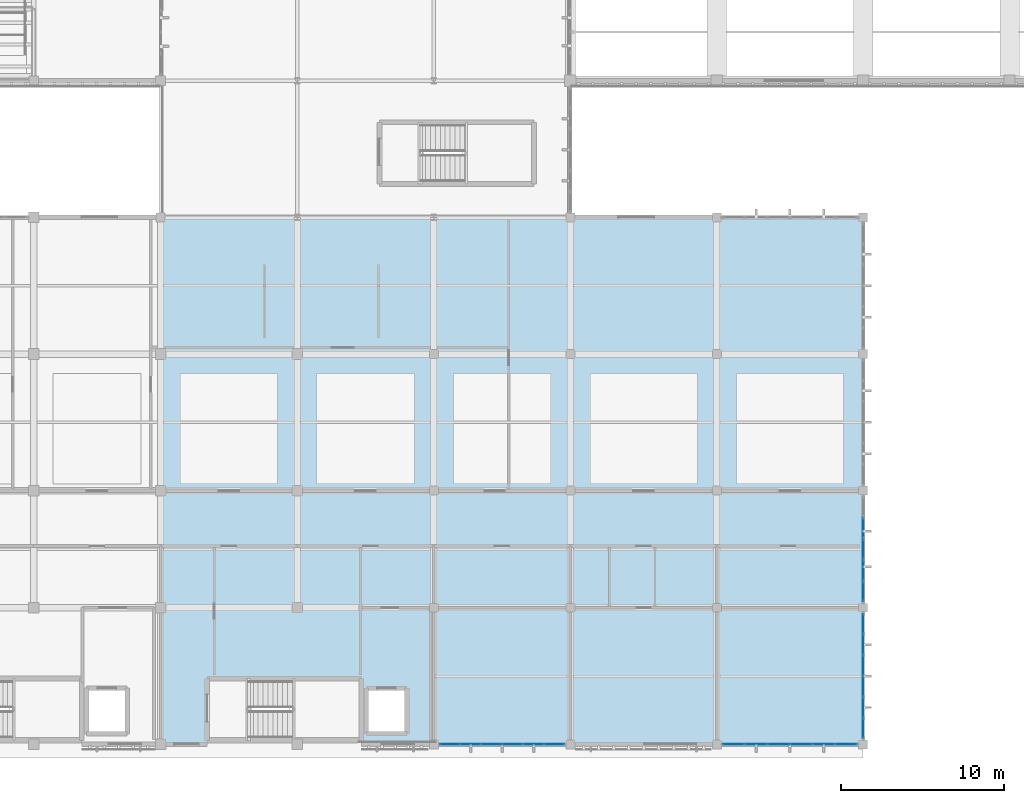
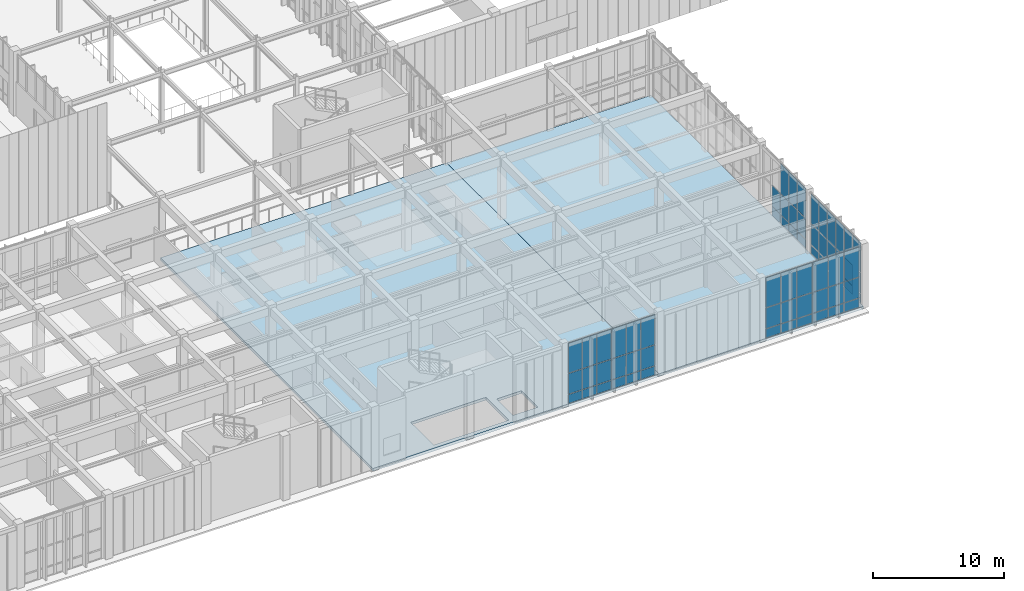
# One storey, part 57 of 105: 65 plates, 2 slabs, 4 elements without a shape of their own.
"""IFC4 building model written with IfcOpenShell, lengths in metres."""

from ifc_helpers import new_model, si_unit, direction, frame, origin, origin_2d, place, context, subcontext, project, spatial, polyline, rectangle, outline, extrude, material, layer, layer_set, type_object, element, aggregate, save


model = new_model("IFC4")

# Units and contexts
model_context = context("Model", 3, precision=1e-05, world=origin(), true_north=direction((0.0, 1.0)))
body_context = subcontext(model_context, "Body", "Model", "MODEL_VIEW")
ifc_project = project(units=[si_unit("LENGTHUNIT", "METRE"), si_unit("AREAUNIT", "SQUARE_METRE"), si_unit("VOLUMEUNIT", "CUBIC_METRE"), si_unit("PLANEANGLEUNIT", "RADIAN"), si_unit("MASSUNIT", "GRAM", prefix="KILO")], contexts=[model_context])

# Site, building, storey
site_placement = place(None, origin())
site = spatial("IfcSite", under=ifc_project, at=site_placement, CompositionType="ELEMENT")
building_placement = place(site_placement, origin())
building = spatial("IfcBuilding", under=site, at=building_placement, Name="Tizgana Railside Sports Hall", CompositionType="ELEMENT")
storey_placement = place(building_placement, frame((0.0, 0.0, 6.0)))
storey = spatial("IfcBuildingStorey", under=building, at=storey_placement, Name="L01", CompositionType="ELEMENT", Elevation=6.0)

# Curtain wall, plates
ifc_material_1 = material(Name="Anodised aluminium and glass", Category="aluminium")
curtain_wall_type_1 = type_object("IfcCurtainWallType", Name="Unitised Curtain Wall Passage 1800", PredefinedType="NOTDEFINED", material=ifc_material_1)
curtain_wall_1_placement = place(storey_placement, origin())
curtain_wall_1 = element("IfcCurtainWall", 1, at=curtain_wall_1_placement, inside=storey, type_object=curtain_wall_type_1, Name="L01 Curtain Wall CW-0101", PredefinedType="NOTDEFINED")
ifc_material_2 = material(Name="Double low-E laminated glass", Category="glass")
ifc_layer_1 = layer(ifc_material_2, 0.033935546875, Name="Double low-E laminated glass")
ifc_layer_set_1 = layer_set([ifc_layer_1], Name="Double low-E laminated glass")
plate_type_1 = type_object("IfcPlateType", Name="Acoustic Laminated Glazing Panel 34", PredefinedType="CURTAIN_PANEL", material=ifc_layer_set_1)
plate_1_placement = place(storey_placement, frame((97.800048828125, 13.30810546875, 0.05517578125), z_axis=(0.0, 0.0, 1.0), x_axis=(0.0, -1.0, 0.0)))
plate_1 = element("IfcPlate", 2, at=plate_1_placement, type_object=plate_type_1, Name="CW-06 panel 2.1", PredefinedType="CURTAIN_PANEL", context=body_context, shape_type="SweptSolid", body=[
    extrude(rectangle(XDim=1.23291015625, YDim=0.033935546875, at=origin_2d()), origin(), (0.0, 0.0, 1.0), 0.8173828125),
])
plate_2_placement = place(storey_placement, frame((97.800048828125, 13.30810546875, 0.92724609375), z_axis=(0.0, 0.0, 1.0), x_axis=(0.0, -1.0, 0.0)))
plate_2 = element("IfcPlate", 3, at=plate_2_placement, type_object=plate_type_1, Name="CW-06 panel 2.2", PredefinedType="CURTAIN_PANEL", context=body_context, shape_type="SweptSolid", body=[
    extrude(rectangle(XDim=1.23291015625, YDim=0.033935546875, at=origin_2d()), origin(), (0.0, 0.0, 1.0), 1.905029296875),
])
plate_3_placement = place(storey_placement, frame((97.800048828125, 12.0, 0.05517578125), z_axis=(0.0, 0.0, 1.0), x_axis=(0.0, -1.0, 0.0)))
plate_3 = element("IfcPlate", 4, at=plate_3_placement, type_object=plate_type_1, Name="CW-06 panel 3.1", PredefinedType="CURTAIN_PANEL", context=body_context, shape_type="SweptSolid", body=[
    extrude(rectangle(XDim=1.23291015625, YDim=0.033935546875, at=origin_2d()), origin(), (0.0, 0.0, 1.0), 0.8173828125),
])
plate_4_placement = place(storey_placement, frame((97.800048828125, 12.0, 0.92724609375), z_axis=(0.0, 0.0, 1.0), x_axis=(0.0, -1.0, 0.0)))
plate_4 = element("IfcPlate", 5, at=plate_4_placement, type_object=plate_type_1, Name="CW-06 panel 3.2", PredefinedType="CURTAIN_PANEL", context=body_context, shape_type="SweptSolid", body=[
    extrude(rectangle(XDim=1.23291015625, YDim=0.033935546875, at=origin_2d()), origin(), (0.0, 0.0, 1.0), 1.905029296875),
])
plate_5_placement = place(storey_placement, frame((97.800048828125, 12.0, 2.8876953125), z_axis=(0.0, 0.0, 1.0), x_axis=(0.0, -1.0, 0.0)))
plate_5 = element("IfcPlate", 6, at=plate_5_placement, type_object=plate_type_1, Name="CW-06 panel 3.3", PredefinedType="CURTAIN_PANEL", context=body_context, shape_type="SweptSolid", body=[
    extrude(rectangle(XDim=1.23291015625, YDim=0.033935546875, at=origin_2d()), origin(), (0.0, 0.0, 1.0), 2.777587890625),
])
plate_6_placement = place(storey_placement, frame((97.800048828125, 10.69189453125, 0.05517578125), z_axis=(0.0, 0.0, 1.0), x_axis=(0.0, -1.0, 0.0)))
plate_6 = element("IfcPlate", 7, at=plate_6_placement, type_object=plate_type_1, Name="CW-06 panel 4.1", PredefinedType="CURTAIN_PANEL", context=body_context, shape_type="SweptSolid", body=[
    extrude(rectangle(XDim=1.23291015625, YDim=0.033935546875, at=origin_2d()), origin(), (0.0, 0.0, 1.0), 0.8173828125),
])
plate_7_placement = place(storey_placement, frame((97.800048828125, 10.69189453125, 0.92724609375), z_axis=(0.0, 0.0, 1.0), x_axis=(0.0, -1.0, 0.0)))
plate_7 = element("IfcPlate", 8, at=plate_7_placement, type_object=plate_type_1, Name="CW-06 panel 4.2", PredefinedType="CURTAIN_PANEL", context=body_context, shape_type="SweptSolid", body=[
    extrude(rectangle(XDim=1.23291015625, YDim=0.033935546875, at=origin_2d()), origin(), (0.0, 0.0, 1.0), 1.905029296875),
])
plate_8_placement = place(storey_placement, frame((97.800048828125, 10.69189453125, 2.8876953125), z_axis=(0.0, 0.0, 1.0), x_axis=(0.0, -1.0, 0.0)))
plate_8 = element("IfcPlate", 9, at=plate_8_placement, type_object=plate_type_1, Name="CW-06 panel 4.3", PredefinedType="CURTAIN_PANEL", context=body_context, shape_type="SweptSolid", body=[
    extrude(rectangle(XDim=1.23291015625, YDim=0.033935546875, at=origin_2d()), origin(), (0.0, 0.0, 1.0), 2.777587890625),
])
plate_9_placement = place(storey_placement, frame((97.800048828125, 9.40283203125, 0.05517578125), z_axis=(0.0, 0.0, 1.0), x_axis=(0.0, -1.0, 0.0)))
plate_9 = element("IfcPlate", 10, at=plate_9_placement, type_object=plate_type_1, Name="CW-06 panel 5.1", PredefinedType="CURTAIN_PANEL", context=body_context, shape_type="SweptSolid", body=[
    extrude(rectangle(XDim=1.195556640625, YDim=0.033935546875, at=origin_2d()), origin(), (0.0, 0.0, 1.0), 0.8173828125),
])
plate_10_placement = place(storey_placement, frame((97.800048828125, 9.40283203125, 0.92724609375), z_axis=(0.0, 0.0, 1.0), x_axis=(0.0, -1.0, 0.0)))
plate_10 = element("IfcPlate", 11, at=plate_10_placement, type_object=plate_type_1, Name="CW-06 panel 5.2", PredefinedType="CURTAIN_PANEL", context=body_context, shape_type="SweptSolid", body=[
    extrude(rectangle(XDim=1.195556640625, YDim=0.033935546875, at=origin_2d()), origin(), (0.0, 0.0, 1.0), 1.905029296875),
])
plate_11_placement = place(storey_placement, frame((97.800048828125, 9.40283203125, 2.8876953125), z_axis=(0.0, 0.0, 1.0), x_axis=(0.0, -1.0, 0.0)))
plate_11 = element("IfcPlate", 12, at=plate_11_placement, type_object=plate_type_1, Name="CW-06 panel 5.3", PredefinedType="CURTAIN_PANEL", context=body_context, shape_type="SweptSolid", body=[
    extrude(rectangle(XDim=1.195556640625, YDim=0.033935546875, at=origin_2d()), origin(), (0.0, 0.0, 1.0), 2.777587890625),
])
aggregate(curtain_wall_1, [plate_1, plate_2, plate_3, plate_4, plate_5, plate_6, plate_7, plate_8, plate_9, plate_10, plate_11])

curtain_wall_type_2 = type_object("IfcCurtainWallType", Name="Unitised Curtain Wall Studio 1400", PredefinedType="NOTDEFINED", material=ifc_material_1)
curtain_wall_2_placement = place(storey_placement, origin())
curtain_wall_2 = element("IfcCurtainWall", 13, at=curtain_wall_2_placement, inside=storey, type_object=curtain_wall_type_2, Name="L01 Curtain Wall CW-0090", PredefinedType="NOTDEFINED")
ifc_layer_2 = layer(ifc_material_2, 0.0400390625, Name="Double low-E laminated glass")
ifc_layer_set_2 = layer_set([ifc_layer_2], Name="Double low-E laminated glass")
plate_type_2 = type_object("IfcPlateType", Name="High-Span Tempered Glazing Panel 40", PredefinedType="CURTAIN_PANEL", material=ifc_layer_set_2)
plate_12_placement = place(storey_placement, frame((78.81005859375, 0.0, 0.06005859375), z_axis=(0.0, 0.0, 1.0), x_axis=(-1.0, 0.0, 0.0)))
plate_12 = element("IfcPlate", 14, at=plate_12_placement, type_object=plate_type_2, Name="CW-03 panel 1.1", PredefinedType="CURTAIN_PANEL", context=body_context, shape_type="SweptSolid", body=[
    extrude(rectangle(XDim=1.199951171875, YDim=0.0400390625, at=origin_2d()), origin(), (0.0, 0.0, 1.0), 0.81005859375),
])
plate_13_placement = place(storey_placement, frame((78.81005859375, 0.0, 0.929931640625), z_axis=(0.0, 0.0, 1.0), x_axis=(-1.0, 0.0, 0.0)))
plate_13 = element("IfcPlate", 15, at=plate_13_placement, type_object=plate_type_2, Name="CW-03 panel 1.2", PredefinedType="CURTAIN_PANEL", context=body_context, shape_type="SweptSolid", body=[
    extrude(rectangle(XDim=1.199951171875, YDim=0.0400390625, at=origin_2d()), origin(), (0.0, 0.0, 1.0), 1.89990234375),
])
plate_14_placement = place(storey_placement, frame((78.81005859375, 0.0, 2.889892578125), z_axis=(0.0, 0.0, 1.0), x_axis=(-1.0, 0.0, 0.0)))
plate_14 = element("IfcPlate", 16, at=plate_14_placement, type_object=plate_type_2, Name="CW-03 panel 1.3", PredefinedType="CURTAIN_PANEL", context=body_context, shape_type="SweptSolid", body=[
    extrude(rectangle(XDim=1.199951171875, YDim=0.0400390625, at=origin_2d()), origin(), (0.0, 0.0, 1.0), 2.77001953125),
])
plate_15_placement = place(storey_placement, frame((77.534912109375, 0.0, 0.06005859375), z_axis=(0.0, 0.0, 1.0), x_axis=(-1.0, 0.0, 0.0)))
plate_15 = element("IfcPlate", 17, at=plate_15_placement, type_object=plate_type_2, Name="CW-03 panel 2.1", PredefinedType="CURTAIN_PANEL", context=body_context, shape_type="SweptSolid", body=[
    extrude(rectangle(XDim=1.22998046875, YDim=0.0400390625, at=origin_2d()), origin(), (0.0, 0.0, 1.0), 0.81005859375),
])
plate_16_placement = place(storey_placement, frame((77.534912109375, 0.0, 0.929931640625), z_axis=(0.0, 0.0, 1.0), x_axis=(-1.0, 0.0, 0.0)))
plate_16 = element("IfcPlate", 18, at=plate_16_placement, type_object=plate_type_2, Name="CW-03 panel 2.2", PredefinedType="CURTAIN_PANEL", context=body_context, shape_type="SweptSolid", body=[
    extrude(rectangle(XDim=1.22998046875, YDim=0.0400390625, at=origin_2d()), origin(), (0.0, 0.0, 1.0), 1.89990234375),
])
plate_17_placement = place(storey_placement, frame((77.534912109375, 0.0, 2.889892578125), z_axis=(0.0, 0.0, 1.0), x_axis=(-1.0, 0.0, 0.0)))
plate_17 = element("IfcPlate", 19, at=plate_17_placement, type_object=plate_type_2, Name="CW-03 panel 2.3", PredefinedType="CURTAIN_PANEL", context=body_context, shape_type="SweptSolid", body=[
    extrude(rectangle(XDim=1.22998046875, YDim=0.0400390625, at=origin_2d()), origin(), (0.0, 0.0, 1.0), 2.77001953125),
])
plate_18_placement = place(storey_placement, frame((76.2451171875, 0.0, 0.06005859375), z_axis=(0.0, 0.0, 1.0), x_axis=(-1.0, 0.0, 0.0)))
plate_18 = element("IfcPlate", 20, at=plate_18_placement, type_object=plate_type_2, Name="CW-03 panel 3.1", PredefinedType="CURTAIN_PANEL", context=body_context, shape_type="SweptSolid", body=[
    extrude(rectangle(XDim=1.22998046875, YDim=0.0400390625, at=origin_2d()), origin(), (0.0, 0.0, 1.0), 0.81005859375),
])
plate_19_placement = place(storey_placement, frame((76.2451171875, 0.0, 0.929931640625), z_axis=(0.0, 0.0, 1.0), x_axis=(-1.0, 0.0, 0.0)))
plate_19 = element("IfcPlate", 21, at=plate_19_placement, type_object=plate_type_2, Name="CW-03 panel 3.2", PredefinedType="CURTAIN_PANEL", context=body_context, shape_type="SweptSolid", body=[
    extrude(rectangle(XDim=1.22998046875, YDim=0.0400390625, at=origin_2d()), origin(), (0.0, 0.0, 1.0), 1.89990234375),
])
plate_20_placement = place(storey_placement, frame((76.2451171875, 0.0, 2.889892578125), z_axis=(0.0, 0.0, 1.0), x_axis=(-1.0, 0.0, 0.0)))
plate_20 = element("IfcPlate", 22, at=plate_20_placement, type_object=plate_type_2, Name="CW-03 panel 3.3", PredefinedType="CURTAIN_PANEL", context=body_context, shape_type="SweptSolid", body=[
    extrude(rectangle(XDim=1.22998046875, YDim=0.0400390625, at=origin_2d()), origin(), (0.0, 0.0, 1.0), 2.77001953125),
])
plate_21_placement = place(storey_placement, frame((74.955078125, 0.0, 0.06005859375), z_axis=(0.0, 0.0, 1.0), x_axis=(-1.0, 0.0, 0.0)))
plate_21 = element("IfcPlate", 23, at=plate_21_placement, type_object=plate_type_2, Name="CW-03 panel 4.1", PredefinedType="CURTAIN_PANEL", context=body_context, shape_type="SweptSolid", body=[
    extrude(rectangle(XDim=1.22998046875, YDim=0.0400390625, at=origin_2d()), origin(), (0.0, 0.0, 1.0), 0.81005859375),
])
plate_22_placement = place(storey_placement, frame((74.955078125, 0.0, 0.929931640625), z_axis=(0.0, 0.0, 1.0), x_axis=(-1.0, 0.0, 0.0)))
plate_22 = element("IfcPlate", 24, at=plate_22_placement, type_object=plate_type_2, Name="CW-03 panel 4.2", PredefinedType="CURTAIN_PANEL", context=body_context, shape_type="SweptSolid", body=[
    extrude(rectangle(XDim=1.22998046875, YDim=0.0400390625, at=origin_2d()), origin(), (0.0, 0.0, 1.0), 1.89990234375),
])
plate_23_placement = place(storey_placement, frame((74.955078125, 0.0, 2.889892578125), z_axis=(0.0, 0.0, 1.0), x_axis=(-1.0, 0.0, 0.0)))
plate_23 = element("IfcPlate", 25, at=plate_23_placement, type_object=plate_type_2, Name="CW-03 panel 4.3", PredefinedType="CURTAIN_PANEL", context=body_context, shape_type="SweptSolid", body=[
    extrude(rectangle(XDim=1.22998046875, YDim=0.0400390625, at=origin_2d()), origin(), (0.0, 0.0, 1.0), 2.77001953125),
])
plate_24_placement = place(storey_placement, frame((73.6650390625, 0.0, 0.06005859375), z_axis=(0.0, 0.0, 1.0), x_axis=(-1.0, 0.0, 0.0)))
plate_24 = element("IfcPlate", 26, at=plate_24_placement, type_object=plate_type_2, Name="CW-03 panel 5.1", PredefinedType="CURTAIN_PANEL", context=body_context, shape_type="SweptSolid", body=[
    extrude(rectangle(XDim=1.22998046875, YDim=0.0400390625, at=origin_2d()), origin(), (0.0, 0.0, 1.0), 0.81005859375),
])
plate_25_placement = place(storey_placement, frame((73.6650390625, 0.0, 0.929931640625), z_axis=(0.0, 0.0, 1.0), x_axis=(-1.0, 0.0, 0.0)))
plate_25 = element("IfcPlate", 27, at=plate_25_placement, type_object=plate_type_2, Name="CW-03 panel 5.2", PredefinedType="CURTAIN_PANEL", context=body_context, shape_type="SweptSolid", body=[
    extrude(rectangle(XDim=1.22998046875, YDim=0.0400390625, at=origin_2d()), origin(), (0.0, 0.0, 1.0), 1.89990234375),
])
plate_26_placement = place(storey_placement, frame((73.6650390625, 0.0, 2.889892578125), z_axis=(0.0, 0.0, 1.0), x_axis=(-1.0, 0.0, 0.0)))
plate_26 = element("IfcPlate", 28, at=plate_26_placement, type_object=plate_type_2, Name="CW-03 panel 5.3", PredefinedType="CURTAIN_PANEL", context=body_context, shape_type="SweptSolid", body=[
    extrude(rectangle(XDim=1.22998046875, YDim=0.0400390625, at=origin_2d()), origin(), (0.0, 0.0, 1.0), 2.77001953125),
])
plate_27_placement = place(storey_placement, frame((72.389892578125, 0.0, 0.06005859375), z_axis=(0.0, 0.0, 1.0), x_axis=(-1.0, 0.0, 0.0)))
plate_27 = element("IfcPlate", 29, at=plate_27_placement, type_object=plate_type_2, Name="CW-03 panel 6.1", PredefinedType="CURTAIN_PANEL", context=body_context, shape_type="SweptSolid", body=[
    extrude(rectangle(XDim=1.199951171875, YDim=0.0400390625, at=origin_2d()), origin(), (0.0, 0.0, 1.0), 0.81005859375),
])
plate_28_placement = place(storey_placement, frame((72.389892578125, 0.0, 0.929931640625), z_axis=(0.0, 0.0, 1.0), x_axis=(-1.0, 0.0, 0.0)))
plate_28 = element("IfcPlate", 30, at=plate_28_placement, type_object=plate_type_2, Name="CW-03 panel 6.2", PredefinedType="CURTAIN_PANEL", context=body_context, shape_type="SweptSolid", body=[
    extrude(rectangle(XDim=1.199951171875, YDim=0.0400390625, at=origin_2d()), origin(), (0.0, 0.0, 1.0), 1.89990234375),
])
plate_29_placement = place(storey_placement, frame((72.389892578125, 0.0, 2.889892578125), z_axis=(0.0, 0.0, 1.0), x_axis=(-1.0, 0.0, 0.0)))
plate_29 = element("IfcPlate", 31, at=plate_29_placement, type_object=plate_type_2, Name="CW-03 panel 6.3", PredefinedType="CURTAIN_PANEL", context=body_context, shape_type="SweptSolid", body=[
    extrude(rectangle(XDim=1.199951171875, YDim=0.0400390625, at=origin_2d()), origin(), (0.0, 0.0, 1.0), 2.77001953125),
])
aggregate(curtain_wall_2, [plate_12, plate_13, plate_14, plate_15, plate_16, plate_17, plate_18, plate_19, plate_20, plate_21, plate_22, plate_23, plate_24, plate_25, plate_26, plate_27, plate_28, plate_29])

curtain_wall_type_3 = type_object("IfcCurtainWallType", Name="Unitised Curtain Wall Climbing 1600", PredefinedType="NOTDEFINED", material=ifc_material_1)
curtain_wall_3_placement = place(storey_placement, origin())
curtain_wall_3 = element("IfcCurtainWall", 32, at=curtain_wall_3_placement, inside=storey, type_object=curtain_wall_type_3, Name="L01 Curtain Wall CW-0091", PredefinedType="NOTDEFINED")
ifc_layer_3 = layer(ifc_material_2, 0.031982421875, Name="Double low-E laminated glass")
ifc_layer_set_3 = layer_set([ifc_layer_3], Name="Double low-E laminated glass")
plate_type_3 = type_object("IfcPlateType", Name="North-Light Clerestory Glazing Panel 32", PredefinedType="CURTAIN_PANEL", material=ifc_layer_set_3)
plate_30_placement = place(storey_placement, frame((96.760009765625, 0.0, 0.06005859375), z_axis=(0.0, 0.0, 1.0), x_axis=(-1.0, 0.0, 0.0)))
plate_30 = element("IfcPlate", 33, at=plate_30_placement, type_object=plate_type_3, Name="CW-04 panel 1.1", PredefinedType="CURTAIN_PANEL", context=body_context, shape_type="SweptSolid", body=[
    extrude(rectangle(XDim=1.300048828125, YDim=0.031982421875, at=origin_2d()), origin(), (0.0, 0.0, 1.0), 0.81005859375),
])
plate_31_placement = place(storey_placement, frame((96.760009765625, 0.0, 0.929931640625), z_axis=(0.0, 0.0, 1.0), x_axis=(-1.0, 0.0, 0.0)))
plate_31 = element("IfcPlate", 34, at=plate_31_placement, type_object=plate_type_3, Name="CW-04 panel 1.2", PredefinedType="CURTAIN_PANEL", context=body_context, shape_type="SweptSolid", body=[
    extrude(rectangle(XDim=1.300048828125, YDim=0.031982421875, at=origin_2d()), origin(), (0.0, 0.0, 1.0), 1.89990234375),
])
plate_32_placement = place(storey_placement, frame((96.760009765625, 0.0, 2.889892578125), z_axis=(0.0, 0.0, 1.0), x_axis=(-1.0, 0.0, 0.0)))
plate_32 = element("IfcPlate", 35, at=plate_32_placement, type_object=plate_type_3, Name="CW-04 panel 1.3", PredefinedType="CURTAIN_PANEL", context=body_context, shape_type="SweptSolid", body=[
    extrude(rectangle(XDim=1.300048828125, YDim=0.031982421875, at=origin_2d()), origin(), (0.0, 0.0, 1.0), 2.77001953125),
])
plate_33_placement = place(storey_placement, frame((95.385009765625, 0.0, 0.06005859375), z_axis=(0.0, 0.0, 1.0), x_axis=(-1.0, 0.0, 0.0)))
plate_33 = element("IfcPlate", 36, at=plate_33_placement, type_object=plate_type_3, Name="CW-04 panel 2.1", PredefinedType="CURTAIN_PANEL", context=body_context, shape_type="SweptSolid", body=[
    extrude(rectangle(XDim=1.330078125, YDim=0.031982421875, at=origin_2d()), origin(), (0.0, 0.0, 1.0), 0.81005859375),
])
plate_34_placement = place(storey_placement, frame((95.385009765625, 0.0, 0.929931640625), z_axis=(0.0, 0.0, 1.0), x_axis=(-1.0, 0.0, 0.0)))
plate_34 = element("IfcPlate", 37, at=plate_34_placement, type_object=plate_type_3, Name="CW-04 panel 2.2", PredefinedType="CURTAIN_PANEL", context=body_context, shape_type="SweptSolid", body=[
    extrude(rectangle(XDim=1.330078125, YDim=0.031982421875, at=origin_2d()), origin(), (0.0, 0.0, 1.0), 1.89990234375),
])
plate_35_placement = place(storey_placement, frame((95.385009765625, 0.0, 2.889892578125), z_axis=(0.0, 0.0, 1.0), x_axis=(-1.0, 0.0, 0.0)))
plate_35 = element("IfcPlate", 38, at=plate_35_placement, type_object=plate_type_3, Name="CW-04 panel 2.3", PredefinedType="CURTAIN_PANEL", context=body_context, shape_type="SweptSolid", body=[
    extrude(rectangle(XDim=1.330078125, YDim=0.031982421875, at=origin_2d()), origin(), (0.0, 0.0, 1.0), 2.77001953125),
])
plate_36_placement = place(storey_placement, frame((93.9951171875, 0.0, 0.06005859375), z_axis=(0.0, 0.0, 1.0), x_axis=(-1.0, 0.0, 0.0)))
plate_36 = element("IfcPlate", 39, at=plate_36_placement, type_object=plate_type_3, Name="CW-04 panel 3.1", PredefinedType="CURTAIN_PANEL", context=body_context, shape_type="SweptSolid", body=[
    extrude(rectangle(XDim=1.330078125, YDim=0.031982421875, at=origin_2d()), origin(), (0.0, 0.0, 1.0), 0.81005859375),
])
plate_37_placement = place(storey_placement, frame((93.9951171875, 0.0, 0.929931640625), z_axis=(0.0, 0.0, 1.0), x_axis=(-1.0, 0.0, 0.0)))
plate_37 = element("IfcPlate", 40, at=plate_37_placement, type_object=plate_type_3, Name="CW-04 panel 3.2", PredefinedType="CURTAIN_PANEL", context=body_context, shape_type="SweptSolid", body=[
    extrude(rectangle(XDim=1.330078125, YDim=0.031982421875, at=origin_2d()), origin(), (0.0, 0.0, 1.0), 1.89990234375),
])
plate_38_placement = place(storey_placement, frame((93.9951171875, 0.0, 2.889892578125), z_axis=(0.0, 0.0, 1.0), x_axis=(-1.0, 0.0, 0.0)))
plate_38 = element("IfcPlate", 41, at=plate_38_placement, type_object=plate_type_3, Name="CW-04 panel 3.3", PredefinedType="CURTAIN_PANEL", context=body_context, shape_type="SweptSolid", body=[
    extrude(rectangle(XDim=1.330078125, YDim=0.031982421875, at=origin_2d()), origin(), (0.0, 0.0, 1.0), 2.77001953125),
])
plate_39_placement = place(storey_placement, frame((92.60498046875, 0.0, 0.06005859375), z_axis=(0.0, 0.0, 1.0), x_axis=(-1.0, 0.0, 0.0)))
plate_39 = element("IfcPlate", 42, at=plate_39_placement, type_object=plate_type_3, Name="CW-04 panel 4.1", PredefinedType="CURTAIN_PANEL", context=body_context, shape_type="SweptSolid", body=[
    extrude(rectangle(XDim=1.330078125, YDim=0.031982421875, at=origin_2d()), origin(), (0.0, 0.0, 1.0), 0.81005859375),
])
plate_40_placement = place(storey_placement, frame((92.60498046875, 0.0, 0.929931640625), z_axis=(0.0, 0.0, 1.0), x_axis=(-1.0, 0.0, 0.0)))
plate_40 = element("IfcPlate", 43, at=plate_40_placement, type_object=plate_type_3, Name="CW-04 panel 4.2", PredefinedType="CURTAIN_PANEL", context=body_context, shape_type="SweptSolid", body=[
    extrude(rectangle(XDim=1.330078125, YDim=0.031982421875, at=origin_2d()), origin(), (0.0, 0.0, 1.0), 1.89990234375),
])
plate_41_placement = place(storey_placement, frame((92.60498046875, 0.0, 2.889892578125), z_axis=(0.0, 0.0, 1.0), x_axis=(-1.0, 0.0, 0.0)))
plate_41 = element("IfcPlate", 44, at=plate_41_placement, type_object=plate_type_3, Name="CW-04 panel 4.3", PredefinedType="CURTAIN_PANEL", context=body_context, shape_type="SweptSolid", body=[
    extrude(rectangle(XDim=1.330078125, YDim=0.031982421875, at=origin_2d()), origin(), (0.0, 0.0, 1.0), 2.77001953125),
])
plate_42_placement = place(storey_placement, frame((91.215087890625, 0.0, 0.06005859375), z_axis=(0.0, 0.0, 1.0), x_axis=(-1.0, 0.0, 0.0)))
plate_42 = element("IfcPlate", 45, at=plate_42_placement, type_object=plate_type_3, Name="CW-04 panel 5.1", PredefinedType="CURTAIN_PANEL", context=body_context, shape_type="SweptSolid", body=[
    extrude(rectangle(XDim=1.330078125, YDim=0.031982421875, at=origin_2d()), origin(), (0.0, 0.0, 1.0), 0.81005859375),
])
plate_43_placement = place(storey_placement, frame((91.215087890625, 0.0, 0.929931640625), z_axis=(0.0, 0.0, 1.0), x_axis=(-1.0, 0.0, 0.0)))
plate_43 = element("IfcPlate", 46, at=plate_43_placement, type_object=plate_type_3, Name="CW-04 panel 5.2", PredefinedType="CURTAIN_PANEL", context=body_context, shape_type="SweptSolid", body=[
    extrude(rectangle(XDim=1.330078125, YDim=0.031982421875, at=origin_2d()), origin(), (0.0, 0.0, 1.0), 1.89990234375),
])
plate_44_placement = place(storey_placement, frame((91.215087890625, 0.0, 2.889892578125), z_axis=(0.0, 0.0, 1.0), x_axis=(-1.0, 0.0, 0.0)))
plate_44 = element("IfcPlate", 47, at=plate_44_placement, type_object=plate_type_3, Name="CW-04 panel 5.3", PredefinedType="CURTAIN_PANEL", context=body_context, shape_type="SweptSolid", body=[
    extrude(rectangle(XDim=1.330078125, YDim=0.031982421875, at=origin_2d()), origin(), (0.0, 0.0, 1.0), 2.77001953125),
])
plate_45_placement = place(storey_placement, frame((89.840087890625, 0.0, 0.06005859375), z_axis=(0.0, 0.0, 1.0), x_axis=(-1.0, 0.0, 0.0)))
plate_45 = element("IfcPlate", 48, at=plate_45_placement, type_object=plate_type_3, Name="CW-04 panel 6.1", PredefinedType="CURTAIN_PANEL", context=body_context, shape_type="SweptSolid", body=[
    extrude(rectangle(XDim=1.300048828125, YDim=0.031982421875, at=origin_2d()), origin(), (0.0, 0.0, 1.0), 0.81005859375),
])
plate_46_placement = place(storey_placement, frame((89.840087890625, 0.0, 0.929931640625), z_axis=(0.0, 0.0, 1.0), x_axis=(-1.0, 0.0, 0.0)))
plate_46 = element("IfcPlate", 49, at=plate_46_placement, type_object=plate_type_3, Name="CW-04 panel 6.2", PredefinedType="CURTAIN_PANEL", context=body_context, shape_type="SweptSolid", body=[
    extrude(rectangle(XDim=1.300048828125, YDim=0.031982421875, at=origin_2d()), origin(), (0.0, 0.0, 1.0), 1.89990234375),
])
plate_47_placement = place(storey_placement, frame((89.840087890625, 0.0, 2.889892578125), z_axis=(0.0, 0.0, 1.0), x_axis=(-1.0, 0.0, 0.0)))
plate_47 = element("IfcPlate", 50, at=plate_47_placement, type_object=plate_type_3, Name="CW-04 panel 6.3", PredefinedType="CURTAIN_PANEL", context=body_context, shape_type="SweptSolid", body=[
    extrude(rectangle(XDim=1.300048828125, YDim=0.031982421875, at=origin_2d()), origin(), (0.0, 0.0, 1.0), 2.77001953125),
])
aggregate(curtain_wall_3, [plate_30, plate_31, plate_32, plate_33, plate_34, plate_35, plate_36, plate_37, plate_38, plate_39, plate_40, plate_41, plate_42, plate_43, plate_44, plate_45, plate_46, plate_47])

curtain_wall_type_4 = type_object("IfcCurtainWallType", Name="Unitised Curtain Wall Clinic 1200", PredefinedType="NOTDEFINED", material=ifc_material_1)
curtain_wall_4_placement = place(storey_placement, origin())
curtain_wall_4 = element("IfcCurtainWall", 51, at=curtain_wall_4_placement, inside=storey, type_object=curtain_wall_type_4, Name="L01 Curtain Wall CW-0100", PredefinedType="NOTDEFINED")
ifc_layer_4 = layer(ifc_material_2, 0.028076171875, Name="Double low-E laminated glass")
ifc_layer_set_4 = layer_set([ifc_layer_4], Name="Double low-E laminated glass")
plate_type_4 = type_object("IfcPlateType", Name="Solar Low-E Glazing Panel 28", PredefinedType="CURTAIN_PANEL", material=ifc_layer_set_4)
plate_48_placement = place(storey_placement, frame((97.800048828125, 7.407470703125, 0.070068359375), z_axis=(0.0, 0.0, 1.0), x_axis=(0.0, -1.0, 0.0)))
plate_48 = element("IfcPlate", 52, at=plate_48_placement, type_object=plate_type_4, Name="CW-05 panel 1.1", PredefinedType="CURTAIN_PANEL", context=body_context, shape_type="SweptSolid", body=[
    extrude(rectangle(XDim=1.18505859375, YDim=0.028076171875, at=origin_2d()), origin(), (0.0, 0.0, 1.0), 0.794921875),
])
plate_49_placement = place(storey_placement, frame((97.800048828125, 7.407470703125, 0.93505859375), z_axis=(0.0, 0.0, 1.0), x_axis=(0.0, -1.0, 0.0)))
plate_49 = element("IfcPlate", 53, at=plate_49_placement, type_object=plate_type_4, Name="CW-05 panel 1.2", PredefinedType="CURTAIN_PANEL", context=body_context, shape_type="SweptSolid", body=[
    extrude(rectangle(XDim=1.18505859375, YDim=0.028076171875, at=origin_2d()), origin(), (0.0, 0.0, 1.0), 1.889892578125),
])
plate_50_placement = place(storey_placement, frame((97.800048828125, 7.407470703125, 2.89501953125), z_axis=(0.0, 0.0, 1.0), x_axis=(0.0, -1.0, 0.0)))
plate_50 = element("IfcPlate", 54, at=plate_50_placement, type_object=plate_type_4, Name="CW-05 panel 1.3", PredefinedType="CURTAIN_PANEL", context=body_context, shape_type="SweptSolid", body=[
    extrude(rectangle(XDim=1.18505859375, YDim=0.028076171875, at=origin_2d()), origin(), (0.0, 0.0, 1.0), 2.7548828125),
])
plate_51_placement = place(storey_placement, frame((97.800048828125, 6.135009765625, 0.070068359375), z_axis=(0.0, 0.0, 1.0), x_axis=(0.0, -1.0, 0.0)))
plate_51 = element("IfcPlate", 55, at=plate_51_placement, type_object=plate_type_4, Name="CW-05 panel 2.1", PredefinedType="CURTAIN_PANEL", context=body_context, shape_type="SweptSolid", body=[
    extrude(rectangle(XDim=1.219970703125, YDim=0.028076171875, at=origin_2d()), origin(), (0.0, 0.0, 1.0), 0.794921875),
])
plate_52_placement = place(storey_placement, frame((97.800048828125, 6.135009765625, 0.93505859375), z_axis=(0.0, 0.0, 1.0), x_axis=(0.0, -1.0, 0.0)))
plate_52 = element("IfcPlate", 56, at=plate_52_placement, type_object=plate_type_4, Name="CW-05 panel 2.2", PredefinedType="CURTAIN_PANEL", context=body_context, shape_type="SweptSolid", body=[
    extrude(rectangle(XDim=1.219970703125, YDim=0.028076171875, at=origin_2d()), origin(), (0.0, 0.0, 1.0), 1.889892578125),
])
plate_53_placement = place(storey_placement, frame((97.800048828125, 6.135009765625, 2.89501953125), z_axis=(0.0, 0.0, 1.0), x_axis=(0.0, -1.0, 0.0)))
plate_53 = element("IfcPlate", 57, at=plate_53_placement, type_object=plate_type_4, Name="CW-05 panel 2.3", PredefinedType="CURTAIN_PANEL", context=body_context, shape_type="SweptSolid", body=[
    extrude(rectangle(XDim=1.219970703125, YDim=0.028076171875, at=origin_2d()), origin(), (0.0, 0.0, 1.0), 2.7548828125),
])
plate_54_placement = place(storey_placement, frame((97.800048828125, 4.844970703125, 0.070068359375), z_axis=(0.0, 0.0, 1.0), x_axis=(0.0, -1.0, 0.0)))
plate_54 = element("IfcPlate", 58, at=plate_54_placement, type_object=plate_type_4, Name="CW-05 panel 3.1", PredefinedType="CURTAIN_PANEL", context=body_context, shape_type="SweptSolid", body=[
    extrude(rectangle(XDim=1.219970703125, YDim=0.028076171875, at=origin_2d()), origin(), (0.0, 0.0, 1.0), 0.794921875),
])
plate_55_placement = place(storey_placement, frame((97.800048828125, 4.844970703125, 0.93505859375), z_axis=(0.0, 0.0, 1.0), x_axis=(0.0, -1.0, 0.0)))
plate_55 = element("IfcPlate", 59, at=plate_55_placement, type_object=plate_type_4, Name="CW-05 panel 3.2", PredefinedType="CURTAIN_PANEL", context=body_context, shape_type="SweptSolid", body=[
    extrude(rectangle(XDim=1.219970703125, YDim=0.028076171875, at=origin_2d()), origin(), (0.0, 0.0, 1.0), 1.889892578125),
])
plate_56_placement = place(storey_placement, frame((97.800048828125, 4.844970703125, 2.89501953125), z_axis=(0.0, 0.0, 1.0), x_axis=(0.0, -1.0, 0.0)))
plate_56 = element("IfcPlate", 60, at=plate_56_placement, type_object=plate_type_4, Name="CW-05 panel 3.3", PredefinedType="CURTAIN_PANEL", context=body_context, shape_type="SweptSolid", body=[
    extrude(rectangle(XDim=1.219970703125, YDim=0.028076171875, at=origin_2d()), origin(), (0.0, 0.0, 1.0), 2.7548828125),
])
plate_57_placement = place(storey_placement, frame((97.800048828125, 3.554931640625, 0.070068359375), z_axis=(0.0, 0.0, 1.0), x_axis=(0.0, -1.0, 0.0)))
plate_57 = element("IfcPlate", 61, at=plate_57_placement, type_object=plate_type_4, Name="CW-05 panel 4.1", PredefinedType="CURTAIN_PANEL", context=body_context, shape_type="SweptSolid", body=[
    extrude(rectangle(XDim=1.219970703125, YDim=0.028076171875, at=origin_2d()), origin(), (0.0, 0.0, 1.0), 0.794921875),
])
plate_58_placement = place(storey_placement, frame((97.800048828125, 3.554931640625, 0.93505859375), z_axis=(0.0, 0.0, 1.0), x_axis=(0.0, -1.0, 0.0)))
plate_58 = element("IfcPlate", 62, at=plate_58_placement, type_object=plate_type_4, Name="CW-05 panel 4.2", PredefinedType="CURTAIN_PANEL", context=body_context, shape_type="SweptSolid", body=[
    extrude(rectangle(XDim=1.219970703125, YDim=0.028076171875, at=origin_2d()), origin(), (0.0, 0.0, 1.0), 1.889892578125),
])
plate_59_placement = place(storey_placement, frame((97.800048828125, 3.554931640625, 2.89501953125), z_axis=(0.0, 0.0, 1.0), x_axis=(0.0, -1.0, 0.0)))
plate_59 = element("IfcPlate", 63, at=plate_59_placement, type_object=plate_type_4, Name="CW-05 panel 4.3", PredefinedType="CURTAIN_PANEL", context=body_context, shape_type="SweptSolid", body=[
    extrude(rectangle(XDim=1.219970703125, YDim=0.028076171875, at=origin_2d()), origin(), (0.0, 0.0, 1.0), 2.7548828125),
])
plate_60_placement = place(storey_placement, frame((97.800048828125, 2.264892578125, 0.070068359375), z_axis=(0.0, 0.0, 1.0), x_axis=(0.0, -1.0, 0.0)))
plate_60 = element("IfcPlate", 64, at=plate_60_placement, type_object=plate_type_4, Name="CW-05 panel 5.1", PredefinedType="CURTAIN_PANEL", context=body_context, shape_type="SweptSolid", body=[
    extrude(rectangle(XDim=1.219970703125, YDim=0.028076171875, at=origin_2d()), origin(), (0.0, 0.0, 1.0), 0.794921875),
])
plate_61_placement = place(storey_placement, frame((97.800048828125, 2.264892578125, 0.93505859375), z_axis=(0.0, 0.0, 1.0), x_axis=(0.0, -1.0, 0.0)))
plate_61 = element("IfcPlate", 65, at=plate_61_placement, type_object=plate_type_4, Name="CW-05 panel 5.2", PredefinedType="CURTAIN_PANEL", context=body_context, shape_type="SweptSolid", body=[
    extrude(rectangle(XDim=1.219970703125, YDim=0.028076171875, at=origin_2d()), origin(), (0.0, 0.0, 1.0), 1.889892578125),
])
plate_62_placement = place(storey_placement, frame((97.800048828125, 2.264892578125, 2.89501953125), z_axis=(0.0, 0.0, 1.0), x_axis=(0.0, -1.0, 0.0)))
plate_62 = element("IfcPlate", 66, at=plate_62_placement, type_object=plate_type_4, Name="CW-05 panel 5.3", PredefinedType="CURTAIN_PANEL", context=body_context, shape_type="SweptSolid", body=[
    extrude(rectangle(XDim=1.219970703125, YDim=0.028076171875, at=origin_2d()), origin(), (0.0, 0.0, 1.0), 2.7548828125),
])
plate_63_placement = place(storey_placement, frame((97.800048828125, 0.992431640625, 0.070068359375), z_axis=(0.0, 0.0, 1.0), x_axis=(0.0, -1.0, 0.0)))
plate_63 = element("IfcPlate", 67, at=plate_63_placement, type_object=plate_type_4, Name="CW-05 panel 6.1", PredefinedType="CURTAIN_PANEL", context=body_context, shape_type="SweptSolid", body=[
    extrude(rectangle(XDim=1.18505859375, YDim=0.028076171875, at=origin_2d()), origin(), (0.0, 0.0, 1.0), 0.794921875),
])
plate_64_placement = place(storey_placement, frame((97.800048828125, 0.992431640625, 0.93505859375), z_axis=(0.0, 0.0, 1.0), x_axis=(0.0, -1.0, 0.0)))
plate_64 = element("IfcPlate", 68, at=plate_64_placement, type_object=plate_type_4, Name="CW-05 panel 6.2", PredefinedType="CURTAIN_PANEL", context=body_context, shape_type="SweptSolid", body=[
    extrude(rectangle(XDim=1.18505859375, YDim=0.028076171875, at=origin_2d()), origin(), (0.0, 0.0, 1.0), 1.889892578125),
])
plate_65_placement = place(storey_placement, frame((97.800048828125, 0.992431640625, 2.89501953125), z_axis=(0.0, 0.0, 1.0), x_axis=(0.0, -1.0, 0.0)))
plate_65 = element("IfcPlate", 69, at=plate_65_placement, type_object=plate_type_4, Name="CW-05 panel 6.3", PredefinedType="CURTAIN_PANEL", context=body_context, shape_type="SweptSolid", body=[
    extrude(rectangle(XDim=1.18505859375, YDim=0.028076171875, at=origin_2d()), origin(), (0.0, 0.0, 1.0), 2.7548828125),
])
aggregate(curtain_wall_4, [plate_48, plate_49, plate_50, plate_51, plate_52, plate_53, plate_54, plate_55, plate_56, plate_57, plate_58, plate_59, plate_60, plate_61, plate_62, plate_63, plate_64, plate_65])

# Slabs
ifc_material_3 = material(Name="Concrete C35/45", Category="concrete")
ifc_layer_5 = layer(ifc_material_3, 0.25, Name="Concrete C35/45")
ifc_layer_set_5 = layer_set([ifc_layer_5], Name="Concrete C35/45")
slab_type = type_object("IfcSlabType", Name="Suspended Clinic Floor Slab 250", PredefinedType="FLOOR", material=ifc_layer_set_5)
slab_1_placement = place(storey_placement, frame((0.0, 0.0, -0.25)))
element("IfcSlab", 70, at=slab_1_placement, inside=storey, type_object=slab_type, Name="L01 V5 Central Clinic Slab SLB-0025", PredefinedType="FLOOR", context=body_context, shape_type="SweptSolid", body=[
    extrude(outline(polyline([(54.60009765625, 0.0), (79.800048828125, 0.0), (79.800048828125, 32.39990234375), (54.60009765625, 32.39990234375), (54.60009765625, 0.0)]), holes=[polyline([(60.179931640625, 0.39990234375), (66.800048828125, 0.39990234375), (66.800048828125, 3.89990234375), (60.179931640625, 3.89990234375), (60.179931640625, 0.39990234375)]), polyline([(67.39990234375, 0.800048828125), (69.60009765625, 0.800048828125), (69.60009765625, 3.300048828125), (67.39990234375, 3.300048828125), (67.39990234375, 0.800048828125)])]), origin(), (0.0, 0.0, 1.0), 0.25),
])
slab_2_placement = place(storey_placement, frame((0.0, 0.0, -0.25)))
element("IfcSlab", 71, at=slab_2_placement, inside=storey, type_object=slab_type, Name="L01 V5 East Community Slab SLB-0026", PredefinedType="FLOOR", context=body_context, shape_type="SweptSolid", body=[
    extrude(outline(polyline([(79.800048828125, 0.0), (97.800048828125, 0.0), (97.800048828125, 32.39990234375), (79.800048828125, 32.39990234375), (79.800048828125, 0.0)])), origin(), (0.0, 0.0, 1.0), 0.25),
])

save(model, "model.ifc")
